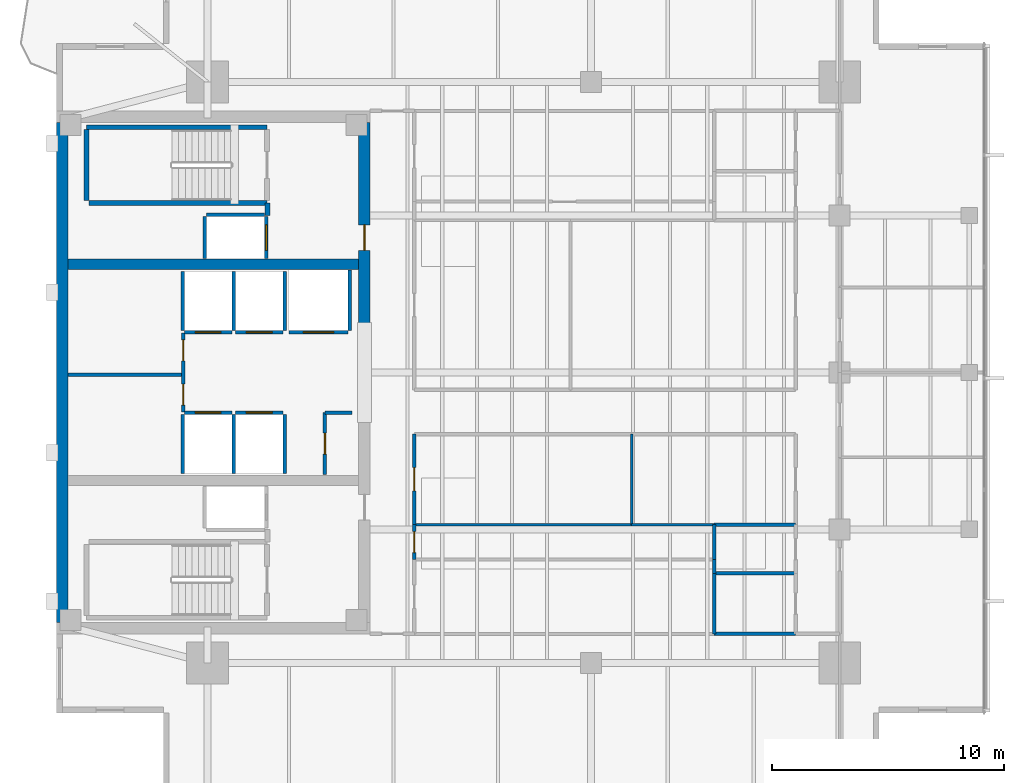
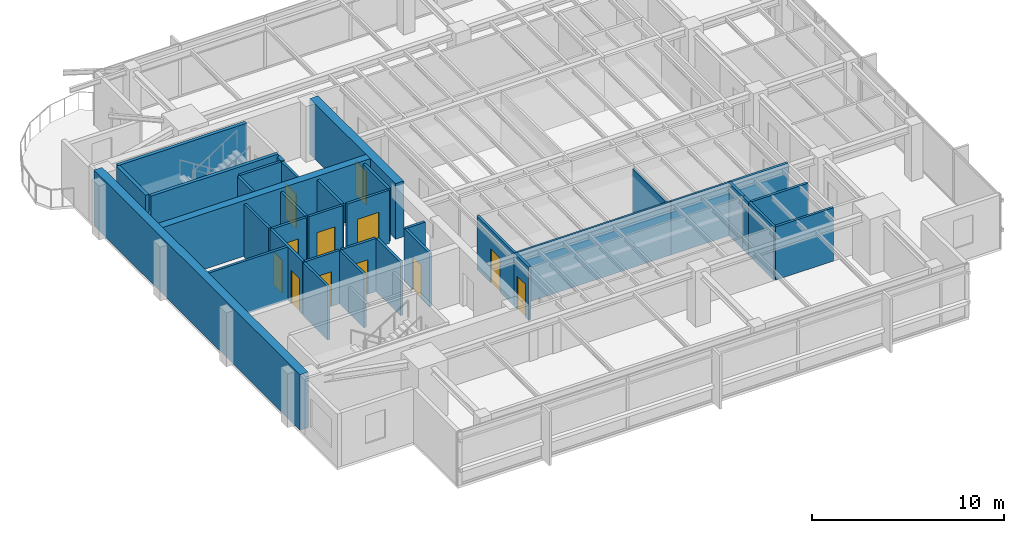
# One storey, part 8 of 14: 37 walls, 12 doors, 12 openings.
"""IFC4 building model written with IfcOpenShell, lengths in metres."""

from ifc_helpers import new_model, si_unit, direction, frame, frame_2d, origin, place, context, subcontext, project, spatial, rectangle, extrude, material, layer, layer_set, type_object, element, fill, save


model = new_model("IFC4")

# Units and contexts
model_context = context("Model", 3, precision=1e-05, world=origin(), true_north=direction((0.0, 1.0)))
body_context = subcontext(model_context, "Body", "Model", "MODEL_VIEW")
ifc_project = project(units=[si_unit("LENGTHUNIT", "METRE"), si_unit("AREAUNIT", "SQUARE_METRE"), si_unit("VOLUMEUNIT", "CUBIC_METRE"), si_unit("PLANEANGLEUNIT", "RADIAN"), si_unit("MASSUNIT", "GRAM", prefix="KILO")], contexts=[model_context])

# Site, building, storey
site_placement = place(None, origin())
site = spatial("IfcSite", under=ifc_project, at=site_placement, CompositionType="ELEMENT")
building_placement = place(site_placement, origin())
building = spatial("IfcBuilding", under=site, at=building_placement, Name="Kinhvarn Gate Tower", CompositionType="ELEMENT")
storey_placement = place(building_placement, frame((0.0, 0.0, 252.800048828125)))
storey = spatial("IfcBuildingStorey", under=building, at=storey_placement, Name="L67", CompositionType="ELEMENT", Elevation=252.800048828125)

# Wall
ifc_material_1 = material(Name="Concrete C50/60", Category="concrete")
ifc_layer_1 = layer(ifc_material_1, 0.449951171875)
ifc_layer_set_1 = layer_set([ifc_layer_1], Name="Concrete C50/60")
wall_type_1 = type_object("IfcWallType", Name="WL-CORE-450", PredefinedType="SHEAR", material=ifc_layer_set_1)
wall_1_placement = place(storey_placement, frame((5.0, 29.89990234375, 0.0), z_axis=(0.0, 0.0, 1.0), x_axis=(1.0, 0.0, 0.0)))
element("IfcWall", 1, at=wall_1_placement, inside=storey, type_object=wall_type_1, Name="Core North Spine Shear Wall L67 450 mm", PredefinedType="SHEAR", context=body_context, shape_type="SweptSolid", body=[
    extrude(rectangle(XDim=12.5, YDim=0.449951171875, at=frame_2d((6.25, 0.0))), origin(), (0.0, 0.0, 1.0), 3.550048828125),
])

# Wall, opening, door
ifc_layer_2 = layer(ifc_material_1, 0.5)
ifc_layer_set_2 = layer_set([ifc_layer_2], Name="Concrete C50/60")
wall_type_2 = type_object("IfcWallType", Name="WL-CORE-500", PredefinedType="SHEAR", material=ifc_layer_set_2)
wall_2_placement = place(storey_placement, frame((17.75, 27.050048828125, 0.0), z_axis=(0.0, 0.0, 1.0), x_axis=(0.0, 1.0, 0.0)))
wall_2 = element("IfcWall", 2, at=wall_2_placement, inside=storey, type_object=wall_type_2, Name="Core East-North Shear Pier L67 500 mm", PredefinedType="SHEAR", context=body_context, shape_type="SweptSolid", body=[
    extrude(rectangle(XDim=8.949951171875, YDim=0.5, at=frame_2d((4.47509765625, 0.0))), origin(), (0.0, 0.0, 1.0), 3.550048828125),
])
opening_1_placement = place(wall_2_placement, frame((3.449951171875, 0.0, 0.0)))
opening_1 = element("IfcOpeningElement", 3, at=opening_1_placement, cuts=wall_2, Name="Opening FD-02", PredefinedType="OPENING", context=body_context, shape_type="SweptSolid", body=[
    extrude(rectangle(XDim=1.10009765625, YDim=2.14990234375, at=frame_2d((0.550048828125, 1.074951171875))), frame((0.0, 0.260009765625, 0.0), z_axis=(0.0, -1.0, 0.0), x_axis=(1.0, 0.0, 0.0)), (0.0, 0.0, 1.0), 0.52001953125),
])
ifc_material_2 = material(Name="Anodised aluminium AW-6063", Category="aluminium")
door_type_1 = type_object("IfcDoorType", Name="DR-FD-1100", OperationType="NOTDEFINED", PredefinedType="DOOR", material=ifc_material_2)
door_1_placement = place(opening_1_placement, origin())
door_1 = element("IfcDoor", 4, at=door_1_placement, inside=storey, type_object=door_type_1, Name="Firefighting Lobby Core Door (L67)", OperationType="SINGLE_SWING_LEFT", OverallHeight=2.14990234375, OverallWidth=1.10009765625, PredefinedType="DOOR", context=body_context, shape_type="SweptSolid", body=[
    extrude(rectangle(XDim=1.10009765625, YDim=2.14990234375, at=frame_2d((0.550048828125, 1.074951171875))), frame((0.0, 0.02490234375, 0.0), z_axis=(0.0, -1.0, 0.0), x_axis=(1.0, 0.0, 0.0)), (0.0, 0.0, 1.0), 0.050048828125),
])
fill(opening_1, door_1)

# Walls
ifc_layer_3 = layer(ifc_material_1, 0.5)
ifc_layer_set_3 = layer_set([ifc_layer_3], Name="Concrete C50/60")
wall_type_3 = type_object("IfcWallType", Name="WL-COREX-500", PredefinedType="SHEAR", material=ifc_layer_set_3)
wall_3_placement = place(storey_placement, frame((4.75, 14.5, 0.0), z_axis=(0.0, 0.0, 1.0), x_axis=(0.0, 1.0, 0.0)))
element("IfcWall", 5, at=wall_3_placement, inside=storey, type_object=wall_type_3, Name="Core West Shear Wall L67 500 mm", PredefinedType="SHEAR", context=body_context, shape_type="SweptSolid", body=[
    extrude(rectangle(XDim=21.5, YDim=0.5, at=frame_2d((10.75, 0.0))), origin(), (0.0, 0.0, 1.0), 3.550048828125),
])
ifc_material_3 = material(Name="Gypsum acoustic partition board")
ifc_layer_4 = layer(ifc_material_3, 0.14990234375)
ifc_layer_set_4 = layer_set([ifc_layer_4], Name="Gypsum acoustic partition board")
wall_type_4 = type_object("IfcWallType", Name="WL-PLM-150", PredefinedType="PLUMBINGWALL", material=ifc_layer_set_4)
wall_4_placement = place(storey_placement, frame((32.800048828125, 16.60009765625, 0.0), z_axis=(0.0, 0.0, 1.0), x_axis=(1.0, 0.0, 0.0)))
element("IfcWall", 6, at=wall_4_placement, inside=storey, type_object=wall_type_4, Name="Interior Partition PLW-150 (L67)", PredefinedType="PLUMBINGWALL", context=body_context, shape_type="SweptSolid", body=[
    extrude(rectangle(XDim=3.5, YDim=0.14990234375, at=frame_2d((1.75, 0.0))), origin(), (0.0, 0.0, 1.0), 3.389892578125),
])
wall_5_placement = place(storey_placement, frame((32.800048828125, 14.0, 0.0), z_axis=(0.0, 0.0, 1.0), x_axis=(0.0, 1.0, 0.0)))
element("IfcWall", 7, at=wall_5_placement, inside=storey, type_object=wall_type_4, Name="Interior Partition PLW-150 (L67)", PredefinedType="PLUMBINGWALL", context=body_context, shape_type="SweptSolid", body=[
    extrude(rectangle(XDim=2.60009765625, YDim=0.14990234375, at=frame_2d((1.300048828125, 0.0))), origin(), (0.0, 0.0, 1.0), 3.389892578125),
])
wall_6_placement = place(storey_placement, frame((32.800048828125, 14.0, 0.0), z_axis=(0.0, 0.0, 1.0), x_axis=(1.0, 0.0, 0.0)))
element("IfcWall", 8, at=wall_6_placement, inside=storey, type_object=wall_type_4, Name="Interior Partition PLW-150 (L67)", PredefinedType="PLUMBINGWALL", context=body_context, shape_type="SweptSolid", body=[
    extrude(rectangle(XDim=3.5, YDim=0.14990234375, at=frame_2d((1.75, 0.0))), origin(), (0.0, 0.0, 1.0), 3.389892578125),
])
wall_7_placement = place(storey_placement, frame((32.800048828125, 16.60009765625, 0.0), z_axis=(0.0, 0.0, 1.0), x_axis=(0.0, 1.0, 0.0)))
element("IfcWall", 9, at=wall_7_placement, inside=storey, type_object=wall_type_4, Name="Interior Partition PLW-150 (L67)", PredefinedType="PLUMBINGWALL", context=body_context, shape_type="SweptSolid", body=[
    extrude(rectangle(XDim=0.599853515625, YDim=0.14990234375, at=frame_2d((0.2998046875, 0.0))), origin(), (0.0, 0.0, 1.0), 3.389892578125),
])
wall_8_placement = place(storey_placement, frame((32.800048828125, 17.199951171875, 0.0), z_axis=(0.0, 0.0, 1.0), x_axis=(0.0, 1.0, 0.0)))
element("IfcWall", 10, at=wall_8_placement, inside=storey, type_object=wall_type_4, Name="Interior Partition PLW-150 (L67)", PredefinedType="PLUMBINGWALL", context=body_context, shape_type="SweptSolid", body=[
    extrude(rectangle(XDim=1.5, YDim=0.14990234375, at=frame_2d((0.75, 0.0))), origin(), (0.0, 0.0, 1.0), 3.389892578125),
])
wall_9_placement = place(storey_placement, frame((32.800048828125, 18.699951171875, 0.0), z_axis=(0.0, 0.0, 1.0), x_axis=(1.0, 0.0, 0.0)))
element("IfcWall", 11, at=wall_9_placement, inside=storey, type_object=wall_type_4, Name="Interior Partition PLW-150 (L67)", PredefinedType="PLUMBINGWALL", context=body_context, shape_type="SweptSolid", body=[
    extrude(rectangle(XDim=3.5, YDim=0.14990234375, at=frame_2d((1.75, 0.0))), origin(), (0.0, 0.0, 1.0), 3.389892578125),
])
ifc_layer_5 = layer(ifc_material_3, 0.1201171875)
ifc_layer_set_5 = layer_set([ifc_layer_5], Name="Gypsum acoustic partition board")
wall_type_5 = type_object("IfcWallType", Name="WL-PRT-120", PredefinedType="PARTITIONING", material=ifc_layer_set_5)
wall_10_placement = place(storey_placement, frame((19.89990234375, 18.699951171875, 0.0), z_axis=(0.0, 0.0, 1.0), x_axis=(1.0, 0.0, 0.0)))
element("IfcWall", 12, at=wall_10_placement, inside=storey, type_object=wall_type_5, Name="Interior Partition PW-120 (L67)", PredefinedType="PARTITIONING", context=body_context, shape_type="SweptSolid", body=[
    extrude(rectangle(XDim=9.35009765625, YDim=0.1201171875, at=frame_2d((4.675048828125, 0.0))), origin(), (0.0, 0.0, 1.0), 3.389892578125),
])
wall_11_placement = place(storey_placement, frame((29.25, 18.699951171875, 0.0), z_axis=(0.0, 0.0, 1.0), x_axis=(1.0, 0.0, 0.0)))
element("IfcWall", 13, at=wall_11_placement, inside=storey, type_object=wall_type_5, Name="Interior Partition PW-120 (L67)", PredefinedType="PARTITIONING", context=body_context, shape_type="SweptSolid", body=[
    extrude(rectangle(XDim=3.550048828125, YDim=0.1201171875, at=frame_2d((1.77490234375, 0.0))), origin(), (0.0, 0.0, 1.0), 3.389892578125),
])
wall_12_placement = place(storey_placement, frame((29.25, 18.699951171875, 0.0), z_axis=(0.0, 0.0, 1.0), x_axis=(0.0, 1.0, 0.0)))
element("IfcWall", 14, at=wall_12_placement, inside=storey, type_object=wall_type_5, Name="Interior Partition PW-120 (L67)", PredefinedType="PARTITIONING", context=body_context, shape_type="SweptSolid", body=[
    extrude(rectangle(XDim=3.900146484375, YDim=0.1201171875, at=frame_2d((1.9501953125, 0.0))), origin(), (0.0, 0.0, 1.0), 3.119873046875),
])
ifc_layer_6 = layer(ifc_material_3, 0.14990234375)
ifc_layer_set_6 = layer_set([ifc_layer_6], Name="Gypsum acoustic partition board")
wall_type_6 = type_object("IfcWallType", Name="WL-PRT-150F", PredefinedType="PARTITIONING", material=ifc_layer_set_6)
wall_13_placement = place(storey_placement, frame((5.0, 25.14990234375, 0.0), z_axis=(0.0, 0.0, 1.0), x_axis=(1.0, 0.0, 0.0)))
element("IfcWall", 15, at=wall_13_placement, inside=storey, type_object=wall_type_6, Name="Interior Partition PW-150F (L67)", PredefinedType="PARTITIONING", context=body_context, shape_type="SweptSolid", body=[
    extrude(rectangle(XDim=4.949951171875, YDim=0.14990234375, at=frame_2d((2.47509765625, 0.0))), origin(), (0.0, 0.0, 1.0), 3.389892578125),
])

# Wall, openings, doors
wall_14_placement = place(storey_placement, frame((9.949951171875, 23.550048828125, 0.0), z_axis=(0.0, 0.0, 1.0), x_axis=(0.0, 1.0, 0.0)))
wall_14 = element("IfcWall", 16, at=wall_14_placement, inside=storey, type_object=wall_type_6, Name="Interior Partition PW-150F (L67)", PredefinedType="PARTITIONING", context=body_context, shape_type="SweptSolid", body=[
    extrude(rectangle(XDim=3.39990234375, YDim=0.14990234375, at=frame_2d((1.699951171875, 0.0))), origin(), (0.0, 0.0, 1.0), 3.389892578125),
])
opening_2_placement = place(wall_14_placement, frame((0.298095703125, 0.0, 0.0)))
opening_2 = element("IfcOpeningElement", 17, at=opening_2_placement, cuts=wall_14, Name="Opening FD-04", PredefinedType="OPENING", context=body_context, shape_type="SweptSolid", body=[
    extrude(rectangle(XDim=0.89990234375, YDim=2.10009765625, at=frame_2d((0.449951171875, 1.050048828125))), frame((0.0, 0.0849609375, 0.0), z_axis=(0.0, -1.0, 0.0), x_axis=(1.0, 0.0, 0.0)), (0.0, 0.0, 1.0), 0.169921875),
])
opening_3_placement = place(wall_14_placement, frame((2.201904296875, 0.0, 0.0)))
opening_3 = element("IfcOpeningElement", 18, at=opening_3_placement, cuts=wall_14, Name="Opening FD-04", PredefinedType="OPENING", context=body_context, shape_type="SweptSolid", body=[
    extrude(rectangle(XDim=0.89990234375, YDim=2.10009765625, at=frame_2d((0.449951171875, 1.050048828125))), frame((0.0, 0.0849609375, 0.0), z_axis=(0.0, -1.0, 0.0), x_axis=(1.0, 0.0, 0.0)), (0.0, 0.0, 1.0), 0.169921875),
])
door_type_2 = type_object("IfcDoorType", Name="DR-FD-900", OperationType="NOTDEFINED", PredefinedType="DOOR", material=ifc_material_2)
door_2_placement = place(opening_2_placement, origin())
door_2 = element("IfcDoor", 19, at=door_2_placement, inside=storey, type_object=door_type_2, Name="Rated Riser & Service Closet Fire Door 900x2100 mm (L67)", OperationType="SINGLE_SWING_RIGHT", OverallHeight=2.10009765625, OverallWidth=0.89990234375, PredefinedType="DOOR", context=body_context, shape_type="SweptSolid", body=[
    extrude(rectangle(XDim=0.89990234375, YDim=2.10009765625, at=frame_2d((0.449951171875, 1.050048828125))), frame((0.0, 0.02490234375, 0.0), z_axis=(0.0, -1.0, 0.0), x_axis=(1.0, 0.0, 0.0)), (0.0, 0.0, 1.0), 0.050048828125),
])
fill(opening_2, door_2)
door_3_placement = place(opening_3_placement, origin())
door_3 = element("IfcDoor", 20, at=door_3_placement, inside=storey, type_object=door_type_2, Name="Rated Riser & Service Closet Fire Door 900x2100 mm (L67)", OperationType="SINGLE_SWING_LEFT", OverallHeight=2.10009765625, OverallWidth=0.89990234375, PredefinedType="DOOR", context=body_context, shape_type="SweptSolid", body=[
    extrude(rectangle(XDim=0.89990234375, YDim=2.10009765625, at=frame_2d((0.449951171875, 1.050048828125))), frame((0.0, 0.02490234375, 0.0), z_axis=(0.0, -1.0, 0.0), x_axis=(1.0, 0.0, 0.0)), (0.0, 0.0, 1.0), 0.050048828125),
])
fill(opening_3, door_3)

# Wall, opening, door
wall_15_placement = place(storey_placement, frame((16.050048828125, 20.85009765625, 0.0), z_axis=(0.0, 0.0, 1.0), x_axis=(0.0, 1.0, 0.0)))
wall_15 = element("IfcWall", 21, at=wall_15_placement, inside=storey, type_object=wall_type_6, Name="Interior Partition PW-150F (L67)", PredefinedType="PARTITIONING", context=body_context, shape_type="SweptSolid", body=[
    extrude(rectangle(XDim=2.669921875, YDim=0.14990234375, at=frame_2d((1.3349609375, 0.0))), origin(), (0.0, 0.0, 1.0), 3.389892578125),
])
opening_4_placement = place(wall_15_placement, frame((0.885009765625, 0.0, 0.0)))
opening_4 = element("IfcOpeningElement", 22, at=opening_4_placement, cuts=wall_15, Name="Opening FD-04", PredefinedType="OPENING", context=body_context, shape_type="SweptSolid", body=[
    extrude(rectangle(XDim=0.89990234375, YDim=2.10009765625, at=frame_2d((0.449951171875, 1.050048828125))), frame((0.0, 0.0849609375, 0.0), z_axis=(0.0, -1.0, 0.0), x_axis=(1.0, 0.0, 0.0)), (0.0, 0.0, 1.0), 0.169921875),
])
door_4_placement = place(opening_4_placement, origin())
door_4 = element("IfcDoor", 23, at=door_4_placement, inside=storey, type_object=door_type_2, Name="Rated Riser & Service Closet Fire Door 900x2100 mm (L67)", OperationType="SINGLE_SWING_RIGHT", OverallHeight=2.10009765625, OverallWidth=0.89990234375, PredefinedType="DOOR", context=body_context, shape_type="SweptSolid", body=[
    extrude(rectangle(XDim=0.89990234375, YDim=2.10009765625, at=frame_2d((0.449951171875, 1.050048828125))), frame((0.0, 0.02490234375, 0.0), z_axis=(0.0, -1.0, 0.0), x_axis=(1.0, 0.0, 0.0)), (0.0, 0.0, 1.0), 0.050048828125),
])
fill(opening_4, door_4)

# Wall
wall_16_placement = place(storey_placement, frame((16.050048828125, 23.52001953125, 0.0), z_axis=(0.0, 0.0, 1.0), x_axis=(1.0, 0.0, 0.0)))
element("IfcWall", 24, at=wall_16_placement, inside=storey, type_object=wall_type_6, Name="Interior Partition PW-150F (L67)", PredefinedType="PARTITIONING", context=body_context, shape_type="SweptSolid", body=[
    extrude(rectangle(XDim=1.169921875, YDim=0.14990234375, at=frame_2d((0.5849609375, 0.0))), origin(), (0.0, 0.0, 1.0), 3.389892578125),
])

# Wall, opening, door
wall_17_placement = place(storey_placement, frame((19.89990234375, 17.199951171875, 0.0), z_axis=(0.0, 0.0, 1.0), x_axis=(0.0, 1.0, 0.0)))
wall_17 = element("IfcWall", 25, at=wall_17_placement, inside=storey, type_object=wall_type_6, Name="Interior Partition PW-150F (L67)", PredefinedType="PARTITIONING", context=body_context, shape_type="SweptSolid", body=[
    extrude(rectangle(XDim=1.5, YDim=0.14990234375, at=frame_2d((0.75, 0.0))), origin(), (0.0, 0.0, 1.0), 3.389892578125),
])
opening_5_placement = place(wall_17_placement, frame((0.300048828125, 0.0, 0.0)))
opening_5 = element("IfcOpeningElement", 26, at=opening_5_placement, cuts=wall_17, Name="Opening ID-03", PredefinedType="OPENING", context=body_context, shape_type="SweptSolid", body=[
    extrude(rectangle(XDim=0.89990234375, YDim=2.10009765625, at=frame_2d((0.449951171875, 1.050048828125))), frame((0.0, 0.0849609375, 0.0), z_axis=(0.0, -1.0, 0.0), x_axis=(1.0, 0.0, 0.0)), (0.0, 0.0, 1.0), 0.169921875),
])
door_type_3 = type_object("IfcDoorType", Name="DR-INT-900", OperationType="NOTDEFINED", PredefinedType="DOOR", material=ifc_material_2)
door_5_placement = place(opening_5_placement, origin())
door_5 = element("IfcDoor", 27, at=door_5_placement, inside=storey, type_object=door_type_3, Name="Cellular Office & Restroom Door 900x2100 mm (L67)", OperationType="SINGLE_SWING_RIGHT", OverallHeight=2.10009765625, OverallWidth=0.89990234375, PredefinedType="DOOR", context=body_context, shape_type="SweptSolid", body=[
    extrude(rectangle(XDim=0.89990234375, YDim=2.10009765625, at=frame_2d((0.449951171875, 1.050048828125))), frame((0.0, 0.02490234375, 0.0), z_axis=(0.0, -1.0, 0.0), x_axis=(1.0, 0.0, 0.0)), (0.0, 0.0, 1.0), 0.050048828125),
])
fill(opening_5, door_5)

wall_18_placement = place(storey_placement, frame((19.89990234375, 18.699951171875, 0.0), z_axis=(0.0, 0.0, 1.0), x_axis=(0.0, 1.0, 0.0)))
wall_18 = element("IfcWall", 28, at=wall_18_placement, inside=storey, type_object=wall_type_6, Name="Interior Partition PW-150F (L67)", PredefinedType="PARTITIONING", context=body_context, shape_type="SweptSolid", body=[
    extrude(rectangle(XDim=3.900146484375, YDim=0.14990234375, at=frame_2d((1.9501953125, 0.0))), origin(), (0.0, 0.0, 1.0), 3.389892578125),
])
opening_6_placement = place(wall_18_placement, frame((1.449951171875, 0.0, 0.0)))
opening_6 = element("IfcOpeningElement", 29, at=opening_6_placement, cuts=wall_18, Name="Opening ID-02", PredefinedType="OPENING", context=body_context, shape_type="SweptSolid", body=[
    extrude(rectangle(XDim=1.0, YDim=2.14990234375, at=frame_2d((0.5, 1.074951171875))), frame((0.0, 0.0849609375, 0.0), z_axis=(0.0, -1.0, 0.0), x_axis=(1.0, 0.0, 0.0)), (0.0, 0.0, 1.0), 0.169921875),
])
door_type_4 = type_object("IfcDoorType", Name="DR-INT-1000", OperationType="NOTDEFINED", PredefinedType="DOOR", material=ifc_material_2)
door_6_placement = place(opening_6_placement, origin())
door_6 = element("IfcDoor", 30, at=door_6_placement, inside=storey, type_object=door_type_4, Name="Standard Office & Meeting Room Door 1000x2150 mm (L67)", OperationType="SINGLE_SWING_RIGHT", OverallHeight=2.14990234375, OverallWidth=1.0, PredefinedType="DOOR", context=body_context, shape_type="SweptSolid", body=[
    extrude(rectangle(XDim=1.0, YDim=2.14990234375, at=frame_2d((0.5, 1.074951171875))), frame((0.0, 0.02490234375, 0.0), z_axis=(0.0, -1.0, 0.0), x_axis=(1.0, 0.0, 0.0)), (0.0, 0.0, 1.0), 0.050048828125),
])
fill(opening_6, door_6)

# Wall
ifc_layer_7 = layer(ifc_material_3, 0.199951171875)
ifc_layer_set_7 = layer_set([ifc_layer_7], Name="Gypsum acoustic partition board")
wall_type_7 = type_object("IfcWallType", Name="WL-PRT-200", PredefinedType="PARTITIONING", material=ifc_layer_set_7)
wall_19_placement = place(storey_placement, frame((13.580078125, 32.0, 0.0), z_axis=(0.0, 0.0, 1.0), x_axis=(0.0, 1.0, 0.0)))
element("IfcWall", 31, at=wall_19_placement, inside=storey, type_object=wall_type_7, Name="Interior Partition PW-200 (L67)", PredefinedType="PARTITIONING", context=body_context, shape_type="SweptSolid", body=[
    extrude(rectangle(XDim=0.5400390625, YDim=0.199951171875, at=frame_2d((0.27001953125, 0.0))), origin(), (0.0, 0.0, 1.0), 3.389892578125),
])

# Wall, opening, door
ifc_layer_8 = layer(ifc_material_3, 0.14990234375)
ifc_layer_set_8 = layer_set([ifc_layer_8], Name="Gypsum acoustic partition board")
wall_type_8 = type_object("IfcWallType", Name="WL-SHF-150", PredefinedType="PARTITIONING", material=ifc_layer_set_8)
wall_20_placement = place(storey_placement, frame((10.0, 23.52490234375, 0.0), z_axis=(0.0, 0.0, 1.0), x_axis=(1.0, 0.0, 0.0)))
wall_20 = element("IfcWall", 32, at=wall_20_placement, inside=storey, type_object=wall_type_8, Name="Elevator PH-09 Landing Wall (L67)", PredefinedType="PARTITIONING", context=body_context, shape_type="SweptSolid", body=[
    extrude(rectangle(XDim=2.050048828125, YDim=0.14990234375, at=frame_2d((1.02490234375, 0.0))), origin(), (0.0, 0.0, 1.0), 3.389892578125),
])
opening_7_placement = place(wall_20_placement, frame((0.47509765625, 0.0, 0.0)))
opening_7 = element("IfcOpeningElement", 33, at=opening_7_placement, cuts=wall_20, Name="Opening LD-01", PredefinedType="OPENING", context=body_context, shape_type="SweptSolid", body=[
    extrude(rectangle(XDim=1.10009765625, YDim=2.199951171875, at=frame_2d((0.550048828125, 1.10009765625))), frame((0.0, 0.0849609375, 0.0), z_axis=(0.0, -1.0, 0.0), x_axis=(1.0, 0.0, 0.0)), (0.0, 0.0, 1.0), 0.169921875),
])
door_type_5 = type_object("IfcDoorType", Name="DR-LND-PAS", OperationType="NOTDEFINED", PredefinedType="DOOR", material=ifc_material_2)
door_7_placement = place(opening_7_placement, origin())
door_7 = element("IfcDoor", 34, at=door_7_placement, inside=storey, type_object=door_type_5, Name="Elevator PH-09 Sliding Landing Door (L67)", OperationType="DOUBLE_DOOR_SLIDING", OverallHeight=2.199951171875, OverallWidth=1.10009765625, PredefinedType="DOOR", context=body_context, shape_type="SweptSolid", body=[
    extrude(rectangle(XDim=1.10009765625, YDim=2.199951171875, at=frame_2d((0.550048828125, 1.10009765625))), frame((0.0, 0.02490234375, 0.0), z_axis=(0.0, -1.0, 0.0), x_axis=(1.0, 0.0, 0.0)), (0.0, 0.0, 1.0), 0.050048828125),
])
fill(opening_7, door_7)

# Walls
for number, where, z_axis, x_axis, name in (
    (35, (9.925048828125, 20.89990234375, 0.0), (0.0, 0.0, 1.0), (0.0, 1.0, 0.0), "Elevator PH-09 Hoistway Wall W (L67)"),
    (36, (12.125, 20.89990234375, 0.0), (0.0, 0.0, 1.0), (0.0, 1.0, 0.0), "Elevator PH-09 Hoistway Wall E (L67)"),
):
    element("IfcWall", number, at=place(storey_placement, frame(where, z_axis=z_axis, x_axis=x_axis)), inside=storey, type_object=wall_type_8, Name=name, PredefinedType="PARTITIONING", context=body_context, shape_type="SweptSolid", body=[
        extrude(rectangle(XDim=2.550048828125, YDim=0.14990234375, at=frame_2d((1.27490234375, 0.0))), origin(), (0.0, 0.0, 1.0), 3.389892578125),
    ])

# Wall, opening, door
wall_21_placement = place(storey_placement, frame((12.199951171875, 23.52490234375, 0.0), z_axis=(0.0, 0.0, 1.0), x_axis=(1.0, 0.0, 0.0)))
wall_21 = element("IfcWall", 37, at=wall_21_placement, inside=storey, type_object=wall_type_8, Name="Elevator PH-10 Landing Wall (L67)", PredefinedType="PARTITIONING", context=body_context, shape_type="SweptSolid", body=[
    extrude(rectangle(XDim=2.050048828125, YDim=0.14990234375, at=frame_2d((1.02490234375, 0.0))), origin(), (0.0, 0.0, 1.0), 3.389892578125),
])
opening_8_placement = place(wall_21_placement, frame((0.47509765625, 0.0, 0.0)))
opening_8 = element("IfcOpeningElement", 38, at=opening_8_placement, cuts=wall_21, Name="Opening LD-01", PredefinedType="OPENING", context=body_context, shape_type="SweptSolid", body=[
    extrude(rectangle(XDim=1.10009765625, YDim=2.199951171875, at=frame_2d((0.550048828125, 1.10009765625))), frame((0.0, 0.0849609375, 0.0), z_axis=(0.0, -1.0, 0.0), x_axis=(1.0, 0.0, 0.0)), (0.0, 0.0, 1.0), 0.169921875),
])
door_8_placement = place(opening_8_placement, origin())
door_8 = element("IfcDoor", 39, at=door_8_placement, inside=storey, type_object=door_type_5, Name="Elevator PH-10 Sliding Landing Door (L67)", OperationType="DOUBLE_DOOR_SLIDING", OverallHeight=2.199951171875, OverallWidth=1.10009765625, PredefinedType="DOOR", context=body_context, shape_type="SweptSolid", body=[
    extrude(rectangle(XDim=1.10009765625, YDim=2.199951171875, at=frame_2d((0.550048828125, 1.10009765625))), frame((0.0, 0.02490234375, 0.0), z_axis=(0.0, -1.0, 0.0), x_axis=(1.0, 0.0, 0.0)), (0.0, 0.0, 1.0), 0.050048828125),
])
fill(opening_8, door_8)

# Wall
wall_22_placement = place(storey_placement, frame((14.324951171875, 20.89990234375, 0.0), z_axis=(0.0, 0.0, 1.0), x_axis=(0.0, 1.0, 0.0)))
element("IfcWall", 40, at=wall_22_placement, inside=storey, type_object=wall_type_8, Name="Elevator PH-10 Hoistway Wall E (L67)", PredefinedType="PARTITIONING", context=body_context, shape_type="SweptSolid", body=[
    extrude(rectangle(XDim=2.550048828125, YDim=0.14990234375, at=frame_2d((1.27490234375, 0.0))), origin(), (0.0, 0.0, 1.0), 3.389892578125),
])

# Wall, opening, door
wall_23_placement = place(storey_placement, frame((10.0, 26.97509765625, 0.0), z_axis=(0.0, 0.0, 1.0), x_axis=(1.0, 0.0, 0.0)))
wall_23 = element("IfcWall", 41, at=wall_23_placement, inside=storey, type_object=wall_type_8, Name="Elevator PH-11 Landing Wall (L67)", PredefinedType="PARTITIONING", context=body_context, shape_type="SweptSolid", body=[
    extrude(rectangle(XDim=2.050048828125, YDim=0.14990234375, at=frame_2d((1.02490234375, 0.0))), origin(), (0.0, 0.0, 1.0), 3.389892578125),
])
opening_9_placement = place(wall_23_placement, frame((0.47509765625, 0.0, 0.0)))
opening_9 = element("IfcOpeningElement", 42, at=opening_9_placement, cuts=wall_23, Name="Opening LD-01", PredefinedType="OPENING", context=body_context, shape_type="SweptSolid", body=[
    extrude(rectangle(XDim=1.10009765625, YDim=2.199951171875, at=frame_2d((0.550048828125, 1.10009765625))), frame((0.0, 0.0849609375, 0.0), z_axis=(0.0, -1.0, 0.0), x_axis=(1.0, 0.0, 0.0)), (0.0, 0.0, 1.0), 0.169921875),
])
door_9_placement = place(opening_9_placement, origin())
door_9 = element("IfcDoor", 43, at=door_9_placement, inside=storey, type_object=door_type_5, Name="Elevator PH-11 Sliding Landing Door (L67)", OperationType="DOUBLE_DOOR_SLIDING", OverallHeight=2.199951171875, OverallWidth=1.10009765625, PredefinedType="DOOR", context=body_context, shape_type="SweptSolid", body=[
    extrude(rectangle(XDim=1.10009765625, YDim=2.199951171875, at=frame_2d((0.550048828125, 1.10009765625))), frame((0.0, 0.02490234375, 0.0), z_axis=(0.0, -1.0, 0.0), x_axis=(1.0, 0.0, 0.0)), (0.0, 0.0, 1.0), 0.050048828125),
])
fill(opening_9, door_9)

# Walls
for number, where, z_axis, x_axis, name in (
    (44, (9.925048828125, 27.050048828125, 0.0), (0.0, 0.0, 1.0), (0.0, 1.0, 0.0), "Elevator PH-11 Hoistway Wall W (L67)"),
    (45, (12.125, 27.050048828125, 0.0), (0.0, 0.0, 1.0), (0.0, 1.0, 0.0), "Elevator PH-11 Hoistway Wall E (L67)"),
):
    element("IfcWall", number, at=place(storey_placement, frame(where, z_axis=z_axis, x_axis=x_axis)), inside=storey, type_object=wall_type_8, Name=name, PredefinedType="PARTITIONING", context=body_context, shape_type="SweptSolid", body=[
        extrude(rectangle(XDim=2.550048828125, YDim=0.14990234375, at=frame_2d((1.27490234375, 0.0))), origin(), (0.0, 0.0, 1.0), 3.389892578125),
    ])

# Wall, opening, door
wall_24_placement = place(storey_placement, frame((12.199951171875, 26.97509765625, 0.0), z_axis=(0.0, 0.0, 1.0), x_axis=(1.0, 0.0, 0.0)))
wall_24 = element("IfcWall", 46, at=wall_24_placement, inside=storey, type_object=wall_type_8, Name="Elevator PH-12 Landing Wall (L67)", PredefinedType="PARTITIONING", context=body_context, shape_type="SweptSolid", body=[
    extrude(rectangle(XDim=2.050048828125, YDim=0.14990234375, at=frame_2d((1.02490234375, 0.0))), origin(), (0.0, 0.0, 1.0), 3.389892578125),
])
opening_10_placement = place(wall_24_placement, frame((0.47509765625, 0.0, 0.0)))
opening_10 = element("IfcOpeningElement", 47, at=opening_10_placement, cuts=wall_24, Name="Opening LD-01", PredefinedType="OPENING", context=body_context, shape_type="SweptSolid", body=[
    extrude(rectangle(XDim=1.10009765625, YDim=2.199951171875, at=frame_2d((0.550048828125, 1.10009765625))), frame((0.0, 0.0849609375, 0.0), z_axis=(0.0, -1.0, 0.0), x_axis=(1.0, 0.0, 0.0)), (0.0, 0.0, 1.0), 0.169921875),
])
door_10_placement = place(opening_10_placement, origin())
door_10 = element("IfcDoor", 48, at=door_10_placement, inside=storey, type_object=door_type_5, Name="Elevator PH-12 Sliding Landing Door (L67)", OperationType="DOUBLE_DOOR_SLIDING", OverallHeight=2.199951171875, OverallWidth=1.10009765625, PredefinedType="DOOR", context=body_context, shape_type="SweptSolid", body=[
    extrude(rectangle(XDim=1.10009765625, YDim=2.199951171875, at=frame_2d((0.550048828125, 1.10009765625))), frame((0.0, 0.02490234375, 0.0), z_axis=(0.0, -1.0, 0.0), x_axis=(1.0, 0.0, 0.0)), (0.0, 0.0, 1.0), 0.050048828125),
])
fill(opening_10, door_10)

# Wall
wall_25_placement = place(storey_placement, frame((14.324951171875, 27.050048828125, 0.0), z_axis=(0.0, 0.0, 1.0), x_axis=(0.0, 1.0, 0.0)))
element("IfcWall", 49, at=wall_25_placement, inside=storey, type_object=wall_type_8, Name="Elevator PH-12 Hoistway Wall E (L67)", PredefinedType="PARTITIONING", context=body_context, shape_type="SweptSolid", body=[
    extrude(rectangle(XDim=2.550048828125, YDim=0.14990234375, at=frame_2d((1.27490234375, 0.0))), origin(), (0.0, 0.0, 1.0), 3.389892578125),
])

# Wall, opening, door
wall_26_placement = place(storey_placement, frame((14.5, 26.97509765625, 0.0), z_axis=(0.0, 0.0, 1.0), x_axis=(1.0, 0.0, 0.0)))
wall_26 = element("IfcWall", 50, at=wall_26_placement, inside=storey, type_object=wall_type_8, Name="Elevator SV-01 Landing Wall (L67)", PredefinedType="PARTITIONING", context=body_context, shape_type="SweptSolid", body=[
    extrude(rectangle(XDim=2.550048828125, YDim=0.14990234375, at=frame_2d((1.27490234375, 0.0))), origin(), (0.0, 0.0, 1.0), 3.389892578125),
])
opening_11_placement = place(wall_26_placement, frame((0.625, 0.0, 0.0)))
opening_11 = element("IfcOpeningElement", 51, at=opening_11_placement, cuts=wall_26, Name="Opening LD-02", PredefinedType="OPENING", context=body_context, shape_type="SweptSolid", body=[
    extrude(rectangle(XDim=1.300048828125, YDim=2.199951171875, at=frame_2d((0.64990234375, 1.10009765625))), frame((0.0, 0.0849609375, 0.0), z_axis=(0.0, -1.0, 0.0), x_axis=(1.0, 0.0, 0.0)), (0.0, 0.0, 1.0), 0.169921875),
])
door_type_6 = type_object("IfcDoorType", Name="DR-LND-SRV", OperationType="NOTDEFINED", PredefinedType="DOOR", material=ifc_material_2)
door_11_placement = place(opening_11_placement, origin())
door_11 = element("IfcDoor", 52, at=door_11_placement, inside=storey, type_object=door_type_6, Name="Elevator SV-01 Sliding Landing Door (L67)", OperationType="DOUBLE_DOOR_SLIDING", OverallHeight=2.199951171875, OverallWidth=1.300048828125, PredefinedType="DOOR", context=body_context, shape_type="SweptSolid", body=[
    extrude(rectangle(XDim=1.300048828125, YDim=2.199951171875, at=frame_2d((0.64990234375, 1.10009765625))), frame((0.0, 0.02490234375, 0.0), z_axis=(0.0, -1.0, 0.0), x_axis=(1.0, 0.0, 0.0)), (0.0, 0.0, 1.0), 0.050048828125),
])
fill(opening_11, door_11)

# Walls
wall_27_placement = place(storey_placement, frame((17.125, 27.050048828125, 0.0), z_axis=(0.0, 0.0, 1.0), x_axis=(0.0, 1.0, 0.0)))
element("IfcWall", 53, at=wall_27_placement, inside=storey, type_object=wall_type_8, Name="Elevator SV-01 Hoistway Wall E (L67)", PredefinedType="PARTITIONING", context=body_context, shape_type="SweptSolid", body=[
    extrude(rectangle(XDim=2.599853515625, YDim=0.14990234375, at=frame_2d((1.2998046875, 0.0))), origin(), (0.0, 0.0, 1.0), 3.389892578125),
])
wall_28_placement = place(storey_placement, frame((10.949951171875, 32.02490234375, 0.0), z_axis=(0.0, 0.0, 1.0), x_axis=(1.0, 0.0, 0.0)))
element("IfcWall", 54, at=wall_28_placement, inside=storey, type_object=wall_type_8, Name="Elevator FF2 Hoistway Wall N (L67)", PredefinedType="PARTITIONING", context=body_context, shape_type="SweptSolid", body=[
    extrude(rectangle(XDim=2.5, YDim=0.14990234375, at=frame_2d((1.25, 0.0))), origin(), (0.0, 0.0, 1.0), 3.389892578125),
])
wall_29_placement = place(storey_placement, frame((10.875, 30.14990234375, 0.0), z_axis=(0.0, 0.0, 1.0), x_axis=(0.0, 1.0, 0.0)))
element("IfcWall", 55, at=wall_29_placement, inside=storey, type_object=wall_type_8, Name="Elevator FF2 Hoistway Wall W (L67)", PredefinedType="PARTITIONING", context=body_context, shape_type="SweptSolid", body=[
    extrude(rectangle(XDim=1.800048828125, YDim=0.14990234375, at=frame_2d((0.89990234375, 0.0))), origin(), (0.0, 0.0, 1.0), 3.389892578125),
])

# Wall, opening, door
wall_30_placement = place(storey_placement, frame((13.52490234375, 30.14990234375, 0.0), z_axis=(0.0, 0.0, 1.0), x_axis=(0.0, 1.0, 0.0)))
wall_30 = element("IfcWall", 56, at=wall_30_placement, inside=storey, type_object=wall_type_8, Name="Elevator FF2 Landing Wall (L67)", PredefinedType="PARTITIONING", context=body_context, shape_type="SweptSolid", body=[
    extrude(rectangle(XDim=1.800048828125, YDim=0.14990234375, at=frame_2d((0.89990234375, 0.0))), origin(), (0.0, 0.0, 1.0), 3.389892578125),
])
opening_12_placement = place(wall_30_placement, frame((0.35009765625, 0.0, 0.0)))
opening_12 = element("IfcOpeningElement", 57, at=opening_12_placement, cuts=wall_30, Name="Opening LD-03", PredefinedType="OPENING", context=body_context, shape_type="SweptSolid", body=[
    extrude(rectangle(XDim=1.10009765625, YDim=2.199951171875, at=frame_2d((0.550048828125, 1.10009765625))), frame((0.0, 0.0849609375, 0.0), z_axis=(0.0, -1.0, 0.0), x_axis=(1.0, 0.0, 0.0)), (0.0, 0.0, 1.0), 0.169921875),
])
door_type_7 = type_object("IfcDoorType", Name="DR-LND-FF", OperationType="NOTDEFINED", PredefinedType="DOOR", material=ifc_material_2)
door_12_placement = place(opening_12_placement, origin())
door_12 = element("IfcDoor", 58, at=door_12_placement, inside=storey, type_object=door_type_7, Name="Elevator FF2 Sliding Landing Door (L67)", OperationType="DOUBLE_DOOR_SLIDING", OverallHeight=2.199951171875, OverallWidth=1.10009765625, PredefinedType="DOOR", context=body_context, shape_type="SweptSolid", body=[
    extrude(rectangle(XDim=1.10009765625, YDim=2.199951171875, at=frame_2d((0.550048828125, 1.10009765625))), frame((0.0, 0.02490234375, 0.0), z_axis=(0.0, -1.0, 0.0), x_axis=(1.0, 0.0, 0.0)), (0.0, 0.0, 1.0), 0.050048828125),
])
fill(opening_12, door_12)

# Walls
ifc_material_4 = material(Name="Concrete C40/50", Category="concrete")
ifc_layer_9 = layer(ifc_material_4, 0.199951171875)
ifc_layer_set_9 = layer_set([ifc_layer_9], Name="Concrete C40/50")
wall_type_9 = type_object("IfcWallType", Name="WL-SHF-200", PredefinedType="SOLIDWALL", material=ifc_layer_set_9)
wall_31_placement = place(storey_placement, frame((5.800048828125, 35.800048828125, 0.0), z_axis=(0.0, 0.0, 1.0), x_axis=(1.0, 0.0, 0.0)))
element("IfcWall", 59, at=wall_31_placement, inside=storey, type_object=wall_type_9, Name="Stair ST2 North Shaft Wall (L67)", PredefinedType="SOLIDWALL", context=body_context, shape_type="SweptSolid", body=[
    extrude(rectangle(XDim=7.75, YDim=0.199951171875, at=frame_2d((3.875, 0.0))), origin(), (0.0, 0.0, 1.0), 3.550048828125),
])
wall_32_placement = place(storey_placement, frame((5.7900390625, 32.64990234375, 0.0), z_axis=(0.0, 0.0, 1.0), x_axis=(0.0, 1.0, 0.0)))
element("IfcWall", 60, at=wall_32_placement, inside=storey, type_object=wall_type_9, Name="Stair ST2 West Shaft Wall (L67)", PredefinedType="SOLIDWALL", context=body_context, shape_type="SweptSolid", body=[
    extrude(rectangle(XDim=3.050048828125, YDim=0.199951171875, at=frame_2d((1.52490234375, 0.0))), origin(), (0.0, 0.0, 1.0), 3.550048828125),
])
wall_33_placement = place(storey_placement, frame((5.89990234375, 32.5400390625, 0.0), z_axis=(0.0, 0.0, 1.0), x_axis=(1.0, 0.0, 0.0)))
element("IfcWall", 61, at=wall_33_placement, inside=storey, type_object=wall_type_9, Name="Stair ST2 South Shaft Wall (L67)", PredefinedType="SOLIDWALL", context=body_context, shape_type="SweptSolid", body=[
    extrude(rectangle(XDim=7.66015625, YDim=0.199951171875, at=frame_2d((3.830078125, 0.0))), origin(), (0.0, 0.0, 1.0), 3.550048828125),
])

save(model, "model.ifc")
